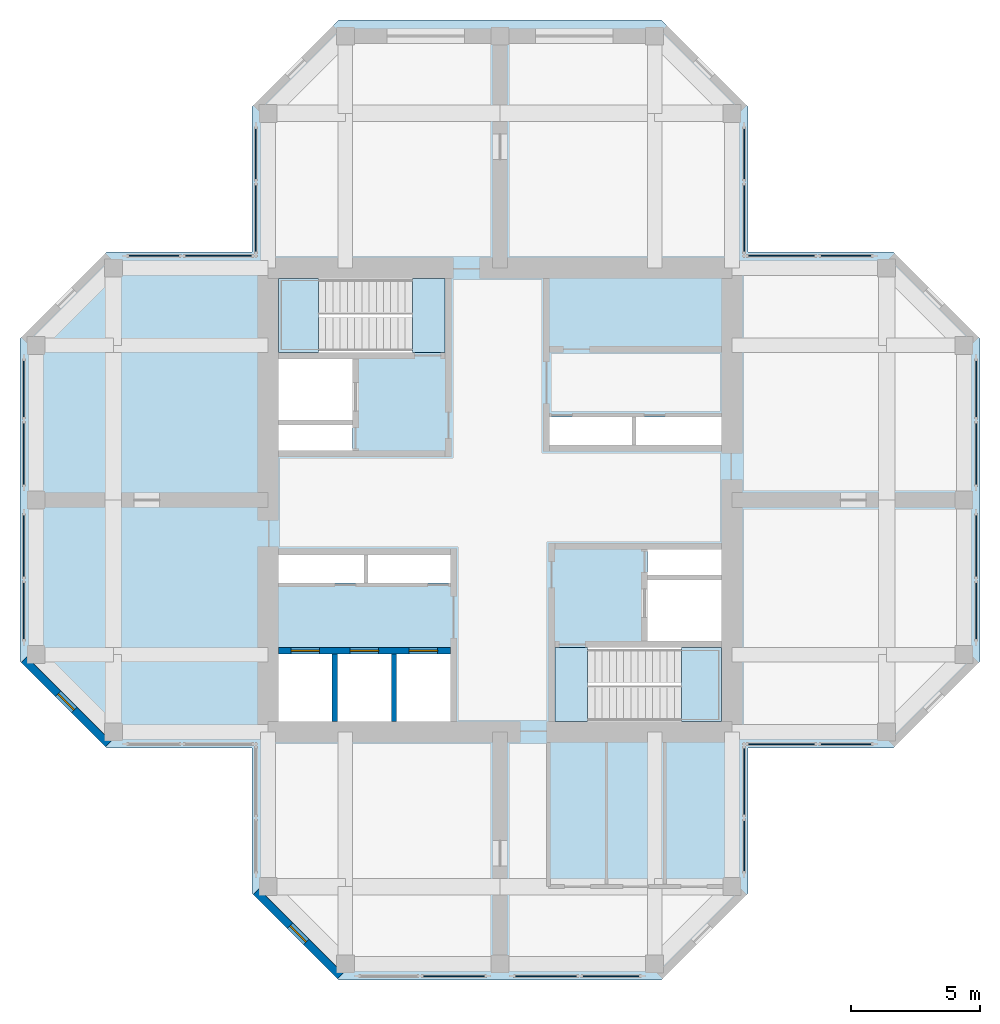
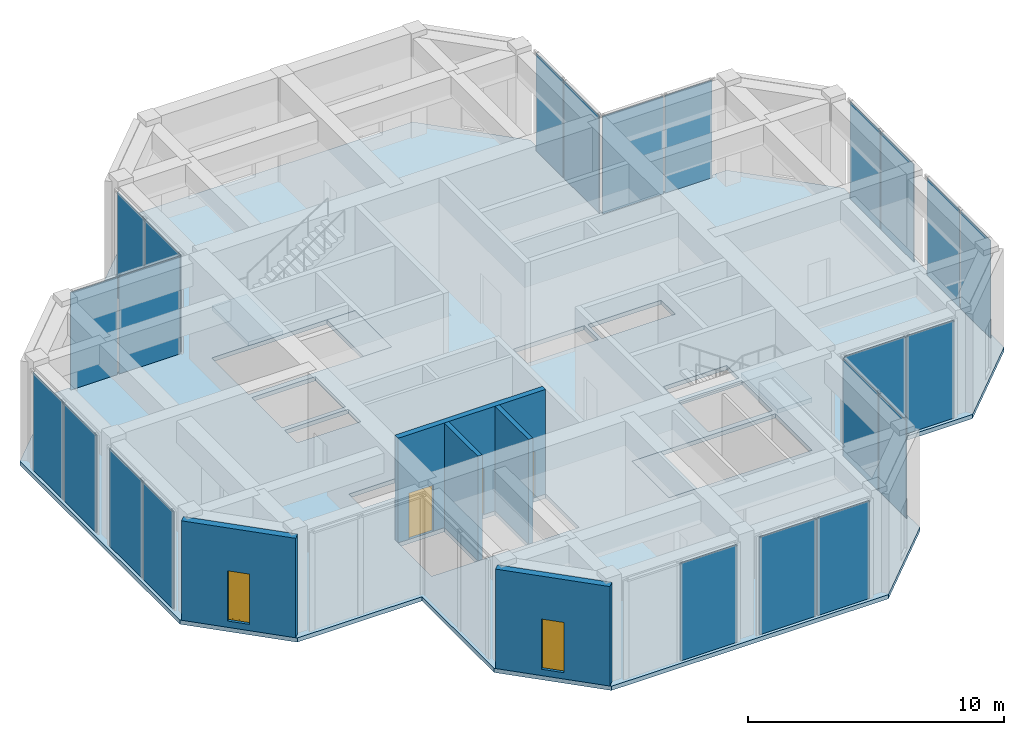
# One storey, part 4 of 8: 23 plates, 5 slabs, 5 walls, 3 doors, 2 windows, 5 openings, 11 elements without a shape of their own.
"""IFC4 building model written with IfcOpenShell, lengths in metres."""

from ifc_helpers import new_model, si_unit, direction, frame, frame_2d, origin, origin_2d, place, context, subcontext, project, spatial, polyline, rectangle, hollow_rectangle, outline, extrude, material, layer, layer_set, constituent, constituent_set, type_object, element, fill, aggregate, save


model = new_model("IFC4")

# Units and contexts
model_context = context("Model", 3, precision=1e-05, world=origin(), true_north=direction((0.0, 1.0)))
body_context = subcontext(model_context, "Body", "Model", "MODEL_VIEW")
ifc_project = project(units=[si_unit("LENGTHUNIT", "METRE"), si_unit("AREAUNIT", "SQUARE_METRE"), si_unit("VOLUMEUNIT", "CUBIC_METRE"), si_unit("PLANEANGLEUNIT", "RADIAN"), si_unit("MASSUNIT", "GRAM", prefix="KILO")], contexts=[model_context])

# Site, building, storey
site_placement = place(None, origin())
site = spatial("IfcSite", under=ifc_project, at=site_placement, CompositionType="ELEMENT")
building_placement = place(site_placement, origin())
building = spatial("IfcBuilding", under=site, at=building_placement, Name="Torre Cruceta", CompositionType="ELEMENT")
storey_placement = place(building_placement, frame((0.0, 0.0, 288.300048828125)))
storey = spatial("IfcBuildingStorey", under=building, at=storey_placement, Name="L75", CompositionType="ELEMENT", Elevation=288.300048828125)

# Curtain wall, plate
ifc_material_1 = material(Name="Aluminium unitised curtain wall", Category="aluminium")
curtain_wall_type = type_object("IfcCurtainWallType", Name="CURTAIN WALL CW-S SKY GARDEN", PredefinedType="USERDEFINED", material=ifc_material_1)
curtain_wall_1_placement = place(storey_placement, origin())
curtain_wall_1 = element("IfcCurtainWall", 1, at=curtain_wall_1_placement, inside=storey, type_object=curtain_wall_type, Name="CW-S L75 E side 00", ObjectType="UNITISED", PredefinedType="USERDEFINED")
ifc_material_2 = material(Name="Laminated insulating glass unit, low-iron clear", Category="glass")
ifc_material_3 = material(Name="Laminated insulating glass unit, low-iron clear", Category="glass")
ifc_layer_1 = layer(ifc_material_3, 0.0400390625)
ifc_layer_set_1 = layer_set([ifc_layer_1], Name="Laminated insulating glass unit, low-iron clear")
plate_type_1 = type_object("IfcPlateType", Name="CW-S OPERABLE VENT PANEL 40", PredefinedType="CURTAIN_PANEL", material=ifc_layer_set_1)
plate_1_placement = place(storey_placement, frame((13.42822265625, -9.469970703125, 0.009765625), z_axis=(0.0, 0.0, 1.0), x_axis=(1.0, 0.0, 0.0)))
plate_1 = element("IfcPlate", 2, at=plate_1_placement, type_object=plate_type_1, material=ifc_material_2, Name="CW-S vent 2", PredefinedType="CURTAIN_PANEL", context=body_context, shape_type="SweptSolid", body=[
    extrude(rectangle(XDim=2.111572265625, YDim=0.0400390625, at=origin_2d()), origin(), (0.0, 0.0, 1.0), 4.659912109375),
])

curtain_wall_2_placement = place(storey_placement, origin())
curtain_wall_2 = element("IfcCurtainWall", 3, at=curtain_wall_2_placement, inside=storey, type_object=curtain_wall_type, Name="CW-S L75 E tip 02", ObjectType="UNITISED", PredefinedType="USERDEFINED")
plate_2_placement = place(storey_placement, frame((18.469970703125, -1.78662109375, 0.009765625), z_axis=(0.0, 0.0, 1.0), x_axis=(0.0, 1.0, 0.0)))
plate_2 = element("IfcPlate", 4, at=plate_2_placement, type_object=plate_type_1, material=ifc_material_2, Name="CW-S vent 2", PredefinedType="CURTAIN_PANEL", context=body_context, shape_type="SweptSolid", body=[
    extrude(rectangle(XDim=2.541259765625, YDim=0.0400390625, at=origin_2d()), origin(), (0.0, 0.0, 1.0), 4.659912109375),
])

curtain_wall_3_placement = place(storey_placement, origin())
curtain_wall_3 = element("IfcCurtainWall", 5, at=curtain_wall_3_placement, inside=storey, type_object=curtain_wall_type, Name="CW-S L75 E side 04", ObjectType="UNITISED", PredefinedType="USERDEFINED")
plate_3_placement = place(storey_placement, frame((10.921142578125, 9.469970703125, 0.009765625), z_axis=(0.0, 0.0, 1.0), x_axis=(-1.0, 0.0, 0.0)))
plate_3 = element("IfcPlate", 6, at=plate_3_placement, type_object=plate_type_1, material=ifc_material_2, Name="CW-S vent 2", PredefinedType="CURTAIN_PANEL", context=body_context, shape_type="SweptSolid", body=[
    extrude(rectangle(XDim=2.742431640625, YDim=0.0400390625, at=origin_2d()), origin(), (0.0, 0.0, 1.0), 4.659912109375),
])

curtain_wall_4_placement = place(storey_placement, origin())
curtain_wall_4 = element("IfcCurtainWall", 7, at=curtain_wall_4_placement, inside=storey, type_object=curtain_wall_type, Name="CW-S L75 N side 05", ObjectType="UNITISED", PredefinedType="USERDEFINED")
plate_4_placement = place(storey_placement, frame((9.469970703125, 13.42822265625, 0.009765625), z_axis=(0.0, 0.0, 1.0), x_axis=(0.0, 1.0, 0.0)))
plate_4 = element("IfcPlate", 8, at=plate_4_placement, type_object=plate_type_1, material=ifc_material_2, Name="CW-S vent 2", PredefinedType="CURTAIN_PANEL", context=body_context, shape_type="SweptSolid", body=[
    extrude(rectangle(XDim=2.111572265625, YDim=0.0400390625, at=origin_2d()), origin(), (0.0, 0.0, 1.0), 4.659912109375),
])

curtain_wall_5_placement = place(storey_placement, origin())
curtain_wall_5 = element("IfcCurtainWall", 9, at=curtain_wall_5_placement, inside=storey, type_object=curtain_wall_type, Name="CW-S L75 N side 09", ObjectType="UNITISED", PredefinedType="USERDEFINED")
plate_5_placement = place(storey_placement, frame((-9.469970703125, 10.921142578125, 0.009765625), z_axis=(0.0, 0.0, 1.0), x_axis=(0.0, -1.0, 0.0)))
plate_5 = element("IfcPlate", 10, at=plate_5_placement, type_object=plate_type_1, material=ifc_material_2, Name="CW-S vent 2", PredefinedType="CURTAIN_PANEL", context=body_context, shape_type="SweptSolid", body=[
    extrude(rectangle(XDim=2.742431640625, YDim=0.0400390625, at=origin_2d()), origin(), (0.0, 0.0, 1.0), 4.659912109375),
])

curtain_wall_6_placement = place(storey_placement, origin())
curtain_wall_6 = element("IfcCurtainWall", 11, at=curtain_wall_6_placement, inside=storey, type_object=curtain_wall_type, Name="CW-S L75 W side 10", ObjectType="UNITISED", PredefinedType="USERDEFINED")
plate_6_placement = place(storey_placement, frame((-13.42822265625, 9.469970703125, 0.009765625), z_axis=(0.0, 0.0, 1.0), x_axis=(-1.0, 0.0, 0.0)))
plate_6 = element("IfcPlate", 12, at=plate_6_placement, type_object=plate_type_1, material=ifc_material_2, Name="CW-S vent 2", PredefinedType="CURTAIN_PANEL", context=body_context, shape_type="SweptSolid", body=[
    extrude(rectangle(XDim=2.111572265625, YDim=0.0400390625, at=origin_2d()), origin(), (0.0, 0.0, 1.0), 4.659912109375),
])

curtain_wall_7_placement = place(storey_placement, origin())
curtain_wall_7 = element("IfcCurtainWall", 13, at=curtain_wall_7_placement, inside=storey, type_object=curtain_wall_type, Name="CW-S L75 W tip 12", ObjectType="UNITISED", PredefinedType="USERDEFINED")
plate_7_placement = place(storey_placement, frame((-18.469970703125, 1.78662109375, 0.009765625), z_axis=(0.0, 0.0, 1.0), x_axis=(0.0, -1.0, 0.0)))
plate_7 = element("IfcPlate", 14, at=plate_7_placement, type_object=plate_type_1, material=ifc_material_2, Name="CW-S vent 2", PredefinedType="CURTAIN_PANEL", context=body_context, shape_type="SweptSolid", body=[
    extrude(rectangle(XDim=2.541259765625, YDim=0.0400390625, at=origin_2d()), origin(), (0.0, 0.0, 1.0), 4.659912109375),
])

curtain_wall_8_placement = place(storey_placement, origin())
curtain_wall_8 = element("IfcCurtainWall", 15, at=curtain_wall_8_placement, inside=storey, type_object=curtain_wall_type, Name="CW-S L75 S tip 17", ObjectType="UNITISED", PredefinedType="USERDEFINED")
plate_8_placement = place(storey_placement, frame((-1.78662109375, -18.469970703125, 0.009765625), z_axis=(0.0, 0.0, 1.0), x_axis=(1.0, 0.0, 0.0)))
plate_8 = element("IfcPlate", 16, at=plate_8_placement, type_object=plate_type_1, material=ifc_material_2, Name="CW-S vent 2", PredefinedType="CURTAIN_PANEL", context=body_context, shape_type="SweptSolid", body=[
    extrude(rectangle(XDim=2.541259765625, YDim=0.0400390625, at=origin_2d()), origin(), (0.0, 0.0, 1.0), 4.659912109375),
])

curtain_wall_9_placement = place(storey_placement, origin())
curtain_wall_9 = element("IfcCurtainWall", 17, at=curtain_wall_9_placement, inside=storey, type_object=curtain_wall_type, Name="CW-S L75 S side 19", ObjectType="UNITISED", PredefinedType="USERDEFINED")
plate_9_placement = place(storey_placement, frame((9.469970703125, -10.921142578125, 0.009765625), z_axis=(0.0, 0.0, 1.0), x_axis=(0.0, 1.0, 0.0)))
plate_9 = element("IfcPlate", 18, at=plate_9_placement, type_object=plate_type_1, material=ifc_material_2, Name="CW-S vent 2", PredefinedType="CURTAIN_PANEL", context=body_context, shape_type="SweptSolid", body=[
    extrude(rectangle(XDim=2.742431640625, YDim=0.0400390625, at=origin_2d()), origin(), (0.0, 0.0, 1.0), 4.659912109375),
])

# Plate
ifc_material_4 = material(Name="Laminated insulating glass unit, low-iron clear", Category="glass")
ifc_layer_2 = layer(ifc_material_4, 0.0400390625)
ifc_layer_set_2 = layer_set([ifc_layer_2], Name="Laminated insulating glass unit, low-iron clear")
plate_type_2 = type_object("IfcPlateType", Name="CW-S PANEL 40 CLEAR GLASS", PredefinedType="CURTAIN_PANEL", material=ifc_layer_set_2)
plate_10_placement = place(storey_placement, frame((10.921142578125, -9.469970703125, 0.009765625), z_axis=(0.0, 0.0, 1.0), x_axis=(1.0, 0.0, 0.0)))
plate_10 = element("IfcPlate", 19, at=plate_10_placement, type_object=plate_type_2, material=ifc_material_2, Name="CW-S panel 1", PredefinedType="CURTAIN_PANEL", context=body_context, shape_type="SweptSolid", body=[
    extrude(rectangle(XDim=2.742431640625, YDim=0.0400390625, at=origin_2d()), origin(), (0.0, 0.0, 1.0), 4.659912109375),
])

aggregate(curtain_wall_1, [plate_10, plate_1])

plate_11_placement = place(storey_placement, frame((18.469970703125, -4.310791015625, 0.009765625), z_axis=(0.0, 0.0, 1.0), x_axis=(0.0, 1.0, 0.0)))
plate_11 = element("IfcPlate", 20, at=plate_11_placement, type_object=plate_type_2, material=ifc_material_2, Name="CW-S panel 1", PredefinedType="CURTAIN_PANEL", context=body_context, shape_type="SweptSolid", body=[
    extrude(rectangle(XDim=2.3466796875, YDim=0.0400390625, at=origin_2d()), origin(), (0.0, 0.0, 1.0), 4.659912109375),
])

plate_12_placement = place(storey_placement, frame((18.469970703125, 1.78662109375, 0.009765625), z_axis=(0.0, 0.0, 1.0), x_axis=(0.0, 1.0, 0.0)))
plate_12 = element("IfcPlate", 21, at=plate_12_placement, type_object=plate_type_2, material=ifc_material_2, Name="CW-S panel 3", PredefinedType="CURTAIN_PANEL", context=body_context, shape_type="SweptSolid", body=[
    extrude(rectangle(XDim=2.541259765625, YDim=0.0400390625, at=origin_2d()), origin(), (0.0, 0.0, 1.0), 4.659912109375),
])

plate_13_placement = place(storey_placement, frame((18.469970703125, 4.310791015625, 0.009765625), z_axis=(0.0, 0.0, 1.0), x_axis=(0.0, 1.0, 0.0)))
plate_13 = element("IfcPlate", 22, at=plate_13_placement, type_object=plate_type_2, material=ifc_material_2, Name="CW-S panel 4", PredefinedType="CURTAIN_PANEL", context=body_context, shape_type="SweptSolid", body=[
    extrude(rectangle(XDim=2.3466796875, YDim=0.0400390625, at=origin_2d()), origin(), (0.0, 0.0, 1.0), 4.659912109375),
])

aggregate(curtain_wall_2, [plate_11, plate_2, plate_12, plate_13])

plate_14_placement = place(storey_placement, frame((13.42822265625, 9.469970703125, 0.009765625), z_axis=(0.0, 0.0, 1.0), x_axis=(-1.0, 0.0, 0.0)))
plate_14 = element("IfcPlate", 23, at=plate_14_placement, type_object=plate_type_2, material=ifc_material_2, Name="CW-S panel 1", PredefinedType="CURTAIN_PANEL", context=body_context, shape_type="SweptSolid", body=[
    extrude(rectangle(XDim=2.111572265625, YDim=0.0400390625, at=origin_2d()), origin(), (0.0, 0.0, 1.0), 4.659912109375),
])

aggregate(curtain_wall_3, [plate_14, plate_3])

plate_15_placement = place(storey_placement, frame((9.469970703125, 10.921142578125, 0.009765625), z_axis=(0.0, 0.0, 1.0), x_axis=(0.0, 1.0, 0.0)))
plate_15 = element("IfcPlate", 24, at=plate_15_placement, type_object=plate_type_2, material=ifc_material_2, Name="CW-S panel 1", PredefinedType="CURTAIN_PANEL", context=body_context, shape_type="SweptSolid", body=[
    extrude(rectangle(XDim=2.742431640625, YDim=0.0400390625, at=origin_2d()), origin(), (0.0, 0.0, 1.0), 4.659912109375),
])

aggregate(curtain_wall_4, [plate_15, plate_4])

plate_16_placement = place(storey_placement, frame((-9.469970703125, 13.42822265625, 0.009765625), z_axis=(0.0, 0.0, 1.0), x_axis=(0.0, -1.0, 0.0)))
plate_16 = element("IfcPlate", 25, at=plate_16_placement, type_object=plate_type_2, material=ifc_material_2, Name="CW-S panel 1", PredefinedType="CURTAIN_PANEL", context=body_context, shape_type="SweptSolid", body=[
    extrude(rectangle(XDim=2.111572265625, YDim=0.0400390625, at=origin_2d()), origin(), (0.0, 0.0, 1.0), 4.659912109375),
])

aggregate(curtain_wall_5, [plate_16, plate_5])

plate_17_placement = place(storey_placement, frame((-10.921142578125, 9.469970703125, 0.009765625), z_axis=(0.0, 0.0, 1.0), x_axis=(-1.0, 0.0, 0.0)))
plate_17 = element("IfcPlate", 26, at=plate_17_placement, type_object=plate_type_2, material=ifc_material_2, Name="CW-S panel 1", PredefinedType="CURTAIN_PANEL", context=body_context, shape_type="SweptSolid", body=[
    extrude(rectangle(XDim=2.742431640625, YDim=0.0400390625, at=origin_2d()), origin(), (0.0, 0.0, 1.0), 4.659912109375),
])

aggregate(curtain_wall_6, [plate_17, plate_6])

plate_18_placement = place(storey_placement, frame((-18.469970703125, 4.310791015625, 0.009765625), z_axis=(0.0, 0.0, 1.0), x_axis=(0.0, -1.0, 0.0)))
plate_18 = element("IfcPlate", 27, at=plate_18_placement, type_object=plate_type_2, material=ifc_material_2, Name="CW-S panel 1", PredefinedType="CURTAIN_PANEL", context=body_context, shape_type="SweptSolid", body=[
    extrude(rectangle(XDim=2.3466796875, YDim=0.0400390625, at=origin_2d()), origin(), (0.0, 0.0, 1.0), 4.659912109375),
])

plate_19_placement = place(storey_placement, frame((-18.469970703125, -1.78662109375, 0.009765625), z_axis=(0.0, 0.0, 1.0), x_axis=(0.0, -1.0, 0.0)))
plate_19 = element("IfcPlate", 28, at=plate_19_placement, type_object=plate_type_2, material=ifc_material_2, Name="CW-S panel 3", PredefinedType="CURTAIN_PANEL", context=body_context, shape_type="SweptSolid", body=[
    extrude(rectangle(XDim=2.541259765625, YDim=0.0400390625, at=origin_2d()), origin(), (0.0, 0.0, 1.0), 4.659912109375),
])

plate_20_placement = place(storey_placement, frame((-18.469970703125, -4.310791015625, 0.009765625), z_axis=(0.0, 0.0, 1.0), x_axis=(0.0, -1.0, 0.0)))
plate_20 = element("IfcPlate", 29, at=plate_20_placement, type_object=plate_type_2, material=ifc_material_2, Name="CW-S panel 4", PredefinedType="CURTAIN_PANEL", context=body_context, shape_type="SweptSolid", body=[
    extrude(rectangle(XDim=2.3466796875, YDim=0.0400390625, at=origin_2d()), origin(), (0.0, 0.0, 1.0), 4.659912109375),
])

aggregate(curtain_wall_7, [plate_18, plate_7, plate_19, plate_20])

plate_21_placement = place(storey_placement, frame((1.78662109375, -18.469970703125, 0.009765625), z_axis=(0.0, 0.0, 1.0), x_axis=(1.0, 0.0, 0.0)))
plate_21 = element("IfcPlate", 30, at=plate_21_placement, type_object=plate_type_2, material=ifc_material_2, Name="CW-S panel 3", PredefinedType="CURTAIN_PANEL", context=body_context, shape_type="SweptSolid", body=[
    extrude(rectangle(XDim=2.541259765625, YDim=0.0400390625, at=origin_2d()), origin(), (0.0, 0.0, 1.0), 4.659912109375),
])

plate_22_placement = place(storey_placement, frame((4.310791015625, -18.469970703125, 0.009765625), z_axis=(0.0, 0.0, 1.0), x_axis=(1.0, 0.0, 0.0)))
plate_22 = element("IfcPlate", 31, at=plate_22_placement, type_object=plate_type_2, material=ifc_material_2, Name="CW-S panel 4", PredefinedType="CURTAIN_PANEL", context=body_context, shape_type="SweptSolid", body=[
    extrude(rectangle(XDim=2.3466796875, YDim=0.0400390625, at=origin_2d()), origin(), (0.0, 0.0, 1.0), 4.659912109375),
])

aggregate(curtain_wall_8, [plate_8, plate_21, plate_22])

plate_23_placement = place(storey_placement, frame((9.469970703125, -13.42822265625, 0.009765625), z_axis=(0.0, 0.0, 1.0), x_axis=(0.0, 1.0, 0.0)))
plate_23 = element("IfcPlate", 32, at=plate_23_placement, type_object=plate_type_2, material=ifc_material_2, Name="CW-S panel 1", PredefinedType="CURTAIN_PANEL", context=body_context, shape_type="SweptSolid", body=[
    extrude(rectangle(XDim=2.111572265625, YDim=0.0400390625, at=origin_2d()), origin(), (0.0, 0.0, 1.0), 4.659912109375),
])

aggregate(curtain_wall_9, [plate_23, plate_9])

# Slab
ifc_material_5 = material(Name="Concrete G35 (fck 35 MPa)", Category="concrete")
ifc_layer_3 = layer(ifc_material_5, 0.199951171875)
ifc_layer_set_3 = layer_set([ifc_layer_3], Name="Concrete G35 (fck 35 MPa)")
slab_type_1 = type_object("IfcSlabType", Name="FLOOR SLAB 200", PredefinedType="FLOOR", material=ifc_layer_set_3)
slab_1_placement = place(storey_placement, frame((0.0, 0.0, -0.199951171875)))
element("IfcSlab", 33, at=slab_1_placement, inside=storey, type_object=slab_type_1, Name="Floor Slab L75", PredefinedType="FLOOR", context=body_context, shape_type="SweptSolid", body=[
    extrude(outline(polyline([(9.6201171875, -9.6201171875), (9.6201171875, -15.2568359375), (6.2568359375, -18.6201171875), (-6.2568359375, -18.6201171875), (-9.6201171875, -15.2568359375), (-9.6201171875, -9.6201171875), (-15.2568359375, -9.6201171875), (-18.6201171875, -6.2568359375), (-18.6201171875, 6.2568359375), (-15.2568359375, 9.6201171875), (-9.6201171875, 9.6201171875), (-9.6201171875, 15.2568359375), (-6.2568359375, 18.6201171875), (6.2568359375, 18.6201171875), (9.6201171875, 15.2568359375), (9.6201171875, 9.6201171875), (15.2568359375, 9.6201171875), (18.6201171875, 6.2568359375), (18.6201171875, -6.2568359375), (15.2568359375, -9.6201171875), (9.6201171875, -9.6201171875)]), holes=[polyline([(1.925048828125, 2.125), (5.125, 2.125), (5.125, 3.22509765625), (1.925048828125, 3.22509765625), (1.925048828125, 2.125)]), polyline([(5.27490234375, 2.125), (8.60009765625, 2.125), (8.60009765625, 3.22509765625), (5.27490234375, 3.22509765625), (5.27490234375, 2.125)]), polyline([(-8.60009765625, 3.10009765625), (-5.72509765625, 3.10009765625), (-5.72509765625, 5.47509765625), (-8.60009765625, 5.47509765625), (-8.60009765625, 3.10009765625)]), polyline([(-8.60009765625, 1.925048828125), (-5.72509765625, 1.925048828125), (-5.72509765625, 2.89990234375), (-8.60009765625, 2.89990234375), (-8.60009765625, 1.925048828125)]), polyline([(-4.0166015625, -8.60009765625), (-1.925048828125, -8.60009765625), (-1.925048828125, -5.97509765625), (-4.0166015625, -5.97509765625), (-4.0166015625, -8.60009765625)]), polyline([(-6.308349609375, -8.60009765625), (-4.216552734375, -8.60009765625), (-4.216552734375, -5.97509765625), (-6.308349609375, -5.97509765625), (-6.308349609375, -8.60009765625)]), polyline([(-8.60009765625, -8.60009765625), (-6.50830078125, -8.60009765625), (-6.50830078125, -5.97509765625), (-8.60009765625, -5.97509765625), (-8.60009765625, -8.60009765625)]), polyline([(-5.125, -3.22509765625), (-1.925048828125, -3.22509765625), (-1.925048828125, -2.125), (-5.125, -2.125), (-5.125, -3.22509765625)]), polyline([(-8.60009765625, -3.22509765625), (-5.27490234375, -3.22509765625), (-5.27490234375, -2.125), (-8.60009765625, -2.125), (-8.60009765625, -3.22509765625)]), polyline([(5.72509765625, -5.47509765625), (8.60009765625, -5.47509765625), (8.60009765625, -3.10009765625), (5.72509765625, -3.10009765625), (5.72509765625, -5.47509765625)]), polyline([(5.72509765625, -2.89990234375), (8.60009765625, -2.89990234375), (8.60009765625, -1.925048828125), (5.72509765625, -1.925048828125), (5.72509765625, -2.89990234375)]), polyline([(-8.60009765625, 5.72509765625), (-8.60009765625, 8.60009765625), (-3.39990234375, 8.60009765625), (-2.125, 8.60009765625), (-2.125, 5.72509765625), (-3.39990234375, 5.72509765625), (-8.60009765625, 5.72509765625)]), polyline([(2.125, -5.72509765625), (3.39990234375, -5.72509765625), (8.60009765625, -5.72509765625), (8.60009765625, -8.60009765625), (3.39990234375, -8.60009765625), (2.125, -8.60009765625), (2.125, -5.72509765625)])]), origin(), (0.0, 0.0, 1.0), 0.199951171875),
])

# Stair, slab
ifc_material_6 = material(Name="Concrete G30 (fck 30 MPa)", Category="concrete")
stair_type = type_object("IfcStairType", Name="STAIR HALF-TURN 1300", PredefinedType="HALF_TURN_STAIR", material=ifc_material_6)
stair_1_placement = place(storey_placement, origin())
stair_1 = element("IfcStair", 34, at=stair_1_placement, inside=storey, type_object=stair_type, Name="Stair ST1 L75", PredefinedType="HALF_TURN_STAIR")
ifc_material_7 = material(Name="Concrete G30 (fck 30 MPa)", Category="concrete")
ifc_layer_4 = layer(ifc_material_7, 0.199951171875)
ifc_layer_set_4 = layer_set([ifc_layer_4], Name="Concrete G30 (fck 30 MPa)")
slab_type_2 = type_object("IfcSlabType", Name="STAIR LANDING 200", PredefinedType="LANDING", material=ifc_layer_set_4)
slab_2_placement = place(storey_placement, frame((0.0, 0.0, 2.300048828125)))
slab_2 = element("IfcSlab", 35, at=slab_2_placement, type_object=slab_type_2, Name="ST1 landing 1", PredefinedType="LANDING", context=body_context, shape_type="SweptSolid", body=[
    extrude(outline(polyline([(-8.60009765625, 5.72509765625), (-7.0400390625, 5.72509765625), (-7.0400390625, 8.60009765625), (-8.60009765625, 8.60009765625), (-8.60009765625, 5.72509765625)])), origin(), (0.0, 0.0, 1.0), 0.199951171875),
])
aggregate(stair_1, [slab_2])

stair_2_placement = place(storey_placement, origin())
stair_2 = element("IfcStair", 36, at=stair_2_placement, inside=storey, type_object=stair_type, Name="Stair ST2 L75", PredefinedType="HALF_TURN_STAIR")
slab_3_placement = place(storey_placement, frame((0.0, 0.0, 2.300048828125)))
slab_3 = element("IfcSlab", 37, at=slab_3_placement, type_object=slab_type_2, Name="ST2 landing 1", PredefinedType="LANDING", context=body_context, shape_type="SweptSolid", body=[
    extrude(outline(polyline([(7.0400390625, -8.60009765625), (8.60009765625, -8.60009765625), (8.60009765625, -5.72509765625), (7.0400390625, -5.72509765625), (7.0400390625, -8.60009765625)])), origin(), (0.0, 0.0, 1.0), 0.199951171875),
])
aggregate(stair_2, [slab_3])

# Slabs
slab_4_placement = place(storey_placement, frame((0.0, 0.0, -0.199951171875)))
element("IfcSlab", 38, at=slab_4_placement, inside=storey, type_object=slab_type_2, Name="Stair ST1 floor landing L75", PredefinedType="LANDING", context=body_context, shape_type="SweptSolid", body=[
    extrude(outline(polyline([(-2.125, 8.60009765625), (-2.125, 5.72509765625), (-3.39990234375, 5.72509765625), (-3.39990234375, 8.60009765625), (-2.125, 8.60009765625)])), origin(), (0.0, 0.0, 1.0), 0.199951171875),
])
slab_5_placement = place(storey_placement, frame((0.0, 0.0, -0.199951171875)))
element("IfcSlab", 39, at=slab_5_placement, inside=storey, type_object=slab_type_2, Name="Stair ST2 floor landing L75", PredefinedType="LANDING", context=body_context, shape_type="SweptSolid", body=[
    extrude(outline(polyline([(2.125, -8.60009765625), (2.125, -5.72509765625), (3.39990234375, -5.72509765625), (3.39990234375, -8.60009765625), (2.125, -8.60009765625)])), origin(), (0.0, 0.0, 1.0), 0.199951171875),
])

# Wall, openings, doors
ifc_material_8 = material(Name="Concrete G60 (fck 60 MPa)", Category="concrete")
ifc_layer_5 = layer(ifc_material_8, 0.25)
ifc_layer_set_5 = layer_set([ifc_layer_5], Name="Concrete G60 (fck 60 MPa)")
wall_type_1 = type_object("IfcWallType", Name="CORE INNER WALL 250 G60", PredefinedType="SHEAR", material=ifc_layer_set_5)
wall_1_placement = place(storey_placement, frame((-1.925048828125, -5.85009765625, 0.0), z_axis=(0.0, 0.0, 1.0), x_axis=(-1.0, 0.0, 0.0)))
wall_1 = element("IfcWall", 40, at=wall_1_placement, inside=storey, type_object=wall_type_1, Name="CW4 L75 SW-LV", PredefinedType="SHEAR", context=body_context, shape_type="SweptSolid", body=[
    extrude(rectangle(XDim=6.675048828125, YDim=0.25, at=frame_2d((3.33740234375, 0.0))), origin(), (0.0, 0.0, 1.0), 5.0),
])
opening_1_placement = place(wall_1_placement, frame((0.495849609375, 0.0, 0.0)))
opening_1 = element("IfcOpeningElement", 41, at=opening_1_placement, cuts=wall_1, Name="Opening LD1", PredefinedType="OPENING", context=body_context, shape_type="SweptSolid", body=[
    extrude(rectangle(XDim=1.10009765625, YDim=2.199951171875, at=frame_2d((0.550048828125, 1.10009765625))), frame((0.0, 0.135009765625, 0.0), z_axis=(0.0, -1.0, 0.0), x_axis=(1.0, 0.0, 0.0)), (0.0, 0.0, 1.0), 0.27001953125),
])
opening_2_placement = place(wall_1_placement, frame((2.78759765625, 0.0, 0.0)))
opening_2 = element("IfcOpeningElement", 42, at=opening_2_placement, cuts=wall_1, Name="Opening LD1", PredefinedType="OPENING", context=body_context, shape_type="SweptSolid", body=[
    extrude(rectangle(XDim=1.10009765625, YDim=2.199951171875, at=frame_2d((0.550048828125, 1.10009765625))), frame((0.0, 0.135009765625, 0.0), z_axis=(0.0, -1.0, 0.0), x_axis=(1.0, 0.0, 0.0)), (0.0, 0.0, 1.0), 0.27001953125),
])
opening_3_placement = place(wall_1_placement, frame((5.0791015625, 0.0, 0.0)))
opening_3 = element("IfcOpeningElement", 43, at=opening_3_placement, cuts=wall_1, Name="Opening LD1", PredefinedType="OPENING", context=body_context, shape_type="SweptSolid", body=[
    extrude(rectangle(XDim=1.10009765625, YDim=2.199951171875, at=frame_2d((0.550048828125, 1.10009765625))), frame((0.0, 0.135009765625, 0.0), z_axis=(0.0, -1.0, 0.0), x_axis=(1.0, 0.0, 0.0)), (0.0, 0.0, 1.0), 0.27001953125),
])
ifc_material_9 = material(Name="Stainless steel 1.4401", Category="steel")
door_type = type_object("IfcDoorType", Name="LIFT LANDING DOOR 1100X2200", OperationType="DOUBLE_DOOR_SLIDING", PredefinedType="DOOR", material=ifc_material_9)
door_1_placement = place(opening_1_placement, origin())
door_1 = element("IfcDoor", 44, at=door_1_placement, inside=storey, type_object=door_type, Name="Lift landing door R1", OperationType="DOUBLE_DOOR_SLIDING", OverallHeight=2.199951171875, OverallWidth=1.10009765625, PredefinedType="DOOR", context=body_context, shape_type="SweptSolid", body=[
    extrude(rectangle(XDim=1.10009765625, YDim=2.199951171875, at=frame_2d((0.550048828125, 1.10009765625))), frame((0.0, 0.02490234375, 0.0), z_axis=(0.0, -1.0, 0.0), x_axis=(1.0, 0.0, 0.0)), (0.0, 0.0, 1.0), 0.050048828125),
])
fill(opening_1, door_1)
door_2_placement = place(opening_2_placement, origin())
door_2 = element("IfcDoor", 45, at=door_2_placement, inside=storey, type_object=door_type, Name="Lift landing door R2", OperationType="DOUBLE_DOOR_SLIDING", OverallHeight=2.199951171875, OverallWidth=1.10009765625, PredefinedType="DOOR", context=body_context, shape_type="SweptSolid", body=[
    extrude(rectangle(XDim=1.10009765625, YDim=2.199951171875, at=frame_2d((0.550048828125, 1.10009765625))), frame((0.0, 0.02490234375, 0.0), z_axis=(0.0, -1.0, 0.0), x_axis=(1.0, 0.0, 0.0)), (0.0, 0.0, 1.0), 0.050048828125),
])
fill(opening_2, door_2)
door_3_placement = place(opening_3_placement, origin())
door_3 = element("IfcDoor", 46, at=door_3_placement, inside=storey, type_object=door_type, Name="Lift landing door R3", OperationType="DOUBLE_DOOR_SLIDING", OverallHeight=2.199951171875, OverallWidth=1.10009765625, PredefinedType="DOOR", context=body_context, shape_type="SweptSolid", body=[
    extrude(rectangle(XDim=1.10009765625, YDim=2.199951171875, at=frame_2d((0.550048828125, 1.10009765625))), frame((0.0, 0.02490234375, 0.0), z_axis=(0.0, -1.0, 0.0), x_axis=(1.0, 0.0, 0.0)), (0.0, 0.0, 1.0), 0.050048828125),
])
fill(opening_3, door_3)

# Wall, opening, window
ifc_material_10 = material(Name="Concrete G30 (fck 30 MPa)", Category="concrete")
ifc_layer_6 = layer(ifc_material_10, 0.300048828125)
ifc_layer_set_6 = layer_set([ifc_layer_6], Name="Concrete G30 (fck 30 MPa)")
wall_type_2 = type_object("IfcWallType", Name="EXPOSED CONCRETE FACADE WALL 300", PredefinedType="SOLIDWALL", material=ifc_layer_set_6)
wall_2_placement = place(storey_placement, frame((-18.469970703125, -6.194580078125, 0.0), z_axis=(0.0, 0.0, 1.0), x_axis=(0.707106781187, -0.707106781187, 0.0)))
wall_2 = element("IfcWall", 47, at=wall_2_placement, inside=storey, type_object=wall_type_2, Name="EW1 facade wall L75 W chamfer 13", PredefinedType="SOLIDWALL", context=body_context, shape_type="SweptSolid", body=[
    extrude(rectangle(XDim=4.632080078125, YDim=0.300048828125, at=frame_2d((2.31591796875, 0.0))), origin(), (0.0, 0.0, 1.0), 4.75),
])
opening_4_placement = place(wall_2_placement, frame((1.865966796875, 0.0, 0.300048828125)))
opening_4 = element("IfcOpeningElement", 48, at=opening_4_placement, cuts=wall_2, Name="Opening WN5", PredefinedType="OPENING", context=body_context, shape_type="SweptSolid", body=[
    extrude(rectangle(XDim=0.89990234375, YDim=2.39990234375, at=frame_2d((0.449951171875, 1.199951171875))), frame((0.0, 0.159912109375, 0.0), z_axis=(0.0, -1.0, 0.0), x_axis=(1.0, 0.0, 0.0)), (0.0, 0.0, 1.0), 0.320068359375),
])
ifc_material_11 = material(Name="Aluminium window frame", Category="aluminium")
ifc_constituent_1 = constituent(ifc_material_11, Name="Frame")
ifc_material_12 = material(Name="Laminated insulating glass unit, low-iron clear", Category="glass")
ifc_constituent_2 = constituent(ifc_material_12, Name="Glazing")
ifc_constituent_set = constituent_set(constituents=[ifc_constituent_1, ifc_constituent_2], Name="Aluminium window")
window_type = type_object("IfcWindowType", Name="CHAMFER SLOT WINDOW 900X2400", PartitioningType="SINGLE_PANEL", PredefinedType="WINDOW", material=ifc_constituent_set)
window_1_placement = place(opening_4_placement, origin())
window_1 = element("IfcWindow", 49, at=window_1_placement, inside=storey, type_object=window_type, Name="WN5 L75 W 1", OverallHeight=2.39990234375, OverallWidth=0.89990234375, PartitioningType="SINGLE_PANEL", PredefinedType="WINDOW", context=body_context, shape_type="SweptSolid", body=[
    extrude(hollow_rectangle(XDim=0.89990234375, YDim=2.39990234375, WallThickness=0.06005859375, at=frame_2d((0.449951171875, 1.199951171875))), frame((0.0, 0.030029296875, 0.0), z_axis=(0.0, -1.0, 0.0), x_axis=(1.0, 0.0, 0.0)), (0.0, 0.0, 1.0), 0.06005859375),
    extrude(rectangle(XDim=0.77880859375, YDim=2.27880859375, at=frame_2d((0.449951171875, 1.199951171875))), frame((0.0, 0.030029296875, 0.0), z_axis=(0.0, -1.0, 0.0), x_axis=(1.0, 0.0, 0.0)), (0.0, 0.0, 1.0), 0.06005859375),
])
fill(opening_4, window_1)

wall_3_placement = place(storey_placement, frame((-9.469970703125, -15.194580078125, 0.0), z_axis=(0.0, 0.0, 1.0), x_axis=(0.707106781187, -0.707106781187, 0.0)))
wall_3 = element("IfcWall", 50, at=wall_3_placement, inside=storey, type_object=wall_type_2, Name="EW1 facade wall L75 S chamfer 16", PredefinedType="SOLIDWALL", context=body_context, shape_type="SweptSolid", body=[
    extrude(rectangle(XDim=4.632080078125, YDim=0.300048828125, at=frame_2d((2.31591796875, 0.0))), origin(), (0.0, 0.0, 1.0), 4.75),
])
opening_5_placement = place(wall_3_placement, frame((1.865966796875, 0.0, 0.300048828125)))
opening_5 = element("IfcOpeningElement", 51, at=opening_5_placement, cuts=wall_3, Name="Opening WN5", PredefinedType="OPENING", context=body_context, shape_type="SweptSolid", body=[
    extrude(rectangle(XDim=0.89990234375, YDim=2.39990234375, at=frame_2d((0.449951171875, 1.199951171875))), frame((0.0, 0.159912109375, 0.0), z_axis=(0.0, -1.0, 0.0), x_axis=(1.0, 0.0, 0.0)), (0.0, 0.0, 1.0), 0.320068359375),
])
window_2_placement = place(opening_5_placement, origin())
window_2 = element("IfcWindow", 52, at=window_2_placement, inside=storey, type_object=window_type, Name="WN5 L75 S 1", OverallHeight=2.39990234375, OverallWidth=0.89990234375, PartitioningType="SINGLE_PANEL", PredefinedType="WINDOW", context=body_context, shape_type="SweptSolid", body=[
    extrude(hollow_rectangle(XDim=0.89990234375, YDim=2.39990234375, WallThickness=0.06005859375, at=frame_2d((0.449951171875, 1.199951171875))), frame((0.0, 0.030029296875, 0.0), z_axis=(0.0, -1.0, 0.0), x_axis=(1.0, 0.0, 0.0)), (0.0, 0.0, 1.0), 0.06005859375),
    extrude(rectangle(XDim=0.77880859375, YDim=2.27880859375, at=frame_2d((0.449951171875, 1.199951171875))), frame((0.0, 0.030029296875, 0.0), z_axis=(0.0, -1.0, 0.0), x_axis=(1.0, 0.0, 0.0)), (0.0, 0.0, 1.0), 0.06005859375),
])
fill(opening_5, window_2)

# Walls
ifc_material_13 = material(Name="Concrete G35 (fck 35 MPa)", Category="concrete")
ifc_layer_7 = layer(ifc_material_13, 0.199951171875)
ifc_layer_set_7 = layer_set([ifc_layer_7], Name="Concrete G35 (fck 35 MPa)")
wall_type_3 = type_object("IfcWallType", Name="LIFT SHAFT WALL 200", PredefinedType="PARTITIONING", material=ifc_layer_set_7)
for number, where, z_axis, x_axis, name in (
    (53, (-4.11669921875, -5.97509765625, 0.0), (0.0, 0.0, 1.0), (0.0, -1.0, 0.0), "SW1 L75 SW-LS1"),
    (54, (-6.408447265625, -5.97509765625, 0.0), (0.0, 0.0, 1.0), (0.0, -1.0, 0.0), "SW1 L75 SW-LS2"),
):
    element("IfcWall", number, at=place(storey_placement, frame(where, z_axis=z_axis, x_axis=x_axis)), inside=storey, type_object=wall_type_3, Name=name, PredefinedType="PARTITIONING", context=body_context, shape_type="SweptSolid", body=[
        extrude(rectangle(XDim=2.625, YDim=0.199951171875, at=frame_2d((1.3125, 0.0))), origin(), (0.0, 0.0, 1.0), 5.0),
    ])

save(model, "model.ifc")
